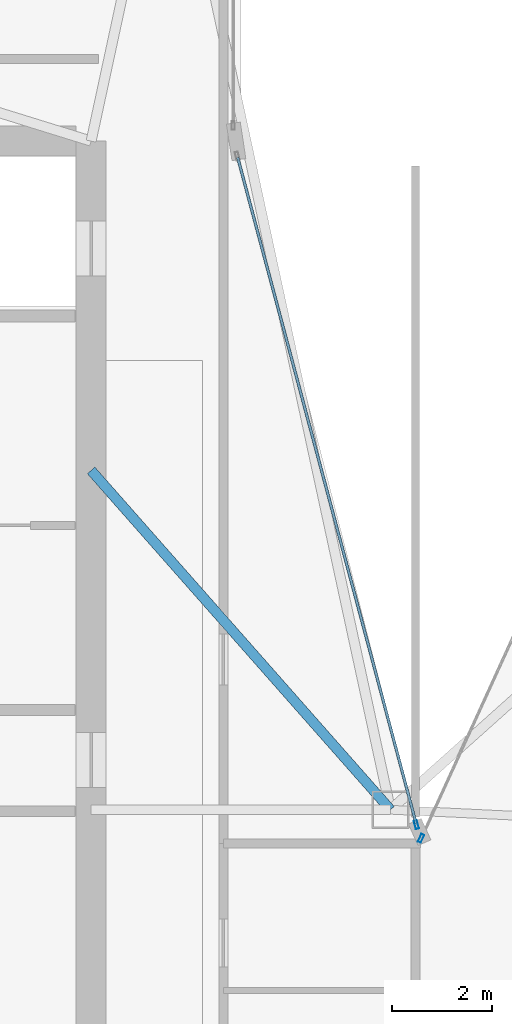
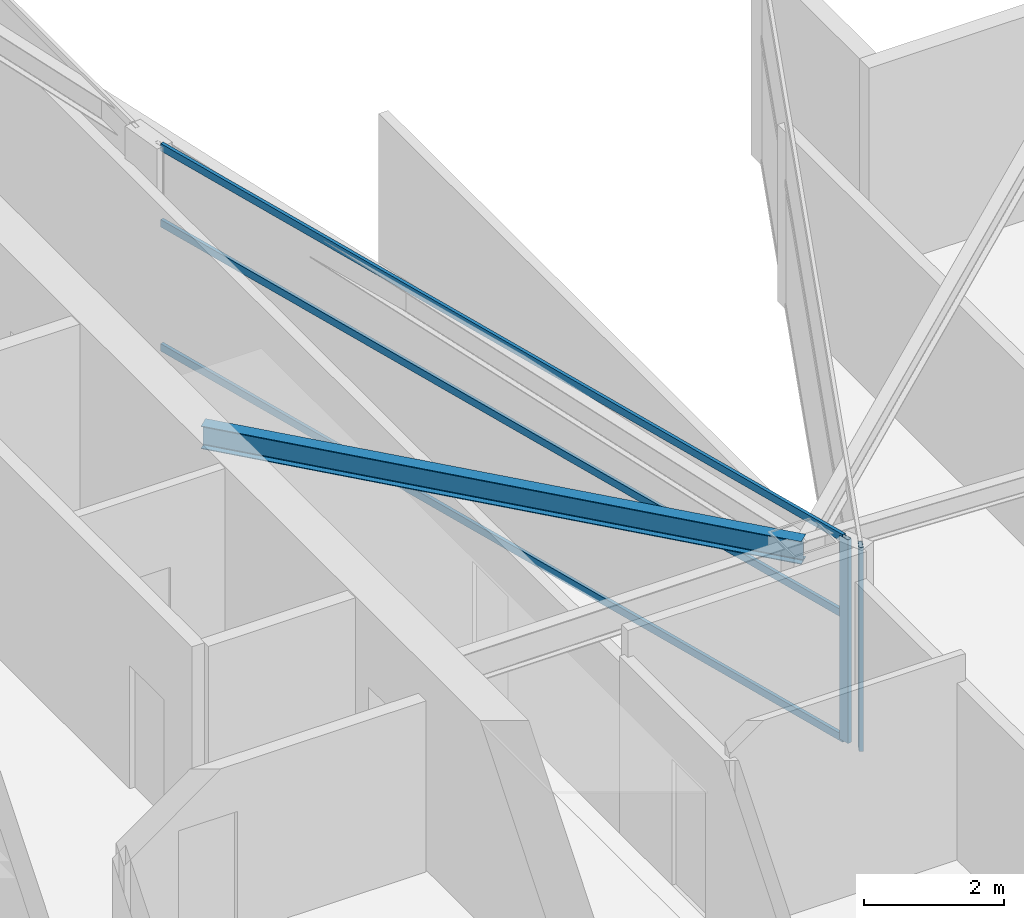
# One storey, part 12 of 27: 5 members, 1 beam, 2 elements without a shape of their own.
"""IFC4 building model written with IfcOpenShell, lengths in metres."""

from ifc_helpers import new_model, si_unit, direction, frame, origin, origin_2d, place, context, subcontext, project, spatial, hollow_rectangle, i_section, extrude, material, layer, layer_set, material_profile, profile_set, type_object, element, aggregate, save


model = new_model("IFC4")

# Units and contexts
model_context = context("Model", 3, precision=1e-05, world=origin(), true_north=direction((0.0, 1.0)))
body_context = subcontext(model_context, "Body", "Model", "MODEL_VIEW")
ifc_project = project(units=[si_unit("LENGTHUNIT", "METRE"), si_unit("AREAUNIT", "SQUARE_METRE"), si_unit("VOLUMEUNIT", "CUBIC_METRE"), si_unit("PLANEANGLEUNIT", "RADIAN"), si_unit("MASSUNIT", "GRAM", prefix="KILO")], contexts=[model_context])

# Site, building, storey
site_placement = place(None, origin())
site = spatial("IfcSite", under=ifc_project, at=site_placement, CompositionType="ELEMENT")
building_placement = place(site_placement, origin())
building = spatial("IfcBuilding", under=site, at=building_placement, Name="Calvorn Quay Hotel", CompositionType="ELEMENT")
storey_placement = place(building_placement, frame((0.0, 0.0, 291.10009765625)))
storey = spatial("IfcBuildingStorey", under=building, at=storey_placement, Name="L72", CompositionType="ELEMENT", Elevation=291.10009765625)

# Beam
ifc_material_1 = material(Name="Steel Q355B", Category="steel")
ifc_material_profile_1 = material_profile(ifc_material_1, i_section(OverallWidth=0.199951171875, OverallDepth=0.39990234375, WebThickness=0.008056640625, FlangeThickness=0.012939453125, FilletRadius=0.01611328125, at=origin_2d()), Name="HN400x200x8x13")
ifc_profile_set_1 = profile_set([ifc_material_profile_1], Name="Steel Q355B")
beam_type = type_object("IfcBeamType", Name="BM-JOIST-TYP", PredefinedType="JOIST", material=ifc_profile_set_1)
beam_placement = place(storey_placement, frame((15.0, 31.800048828125, 3.33984375), z_axis=(0.661618965899, -0.749840212287, 0.0), x_axis=(0.749840212287, 0.661618965899, 0.0)))
element("IfcBeam", 1, at=beam_placement, inside=storey, type_object=beam_type, Name="Beam BJ-L72-C1", PredefinedType="JOIST", context=body_context, shape_type="SweptSolid", body=[
    extrude(i_section(OverallWidth=0.199951171875, OverallDepth=0.39990234375, WebThickness=0.008056640625, FlangeThickness=0.012939453125, FilletRadius=0.01611328125, at=origin_2d()), origin(), (0.0, 0.0, 1.0), 9.068603515625),
])

# Curtain wall, member
ifc_material_2 = material(Name="Champagne Bronze Anodised Aluminium and Low-E Glass", Category="aluminium")
ifc_layer = layer(ifc_material_2, 0.219970703125)
ifc_layer_set = layer_set([ifc_layer], Name="CW-SYS-Z4")
curtain_wall_type = type_object("IfcCurtainWallType", Name="CW-SYS-Z4", PredefinedType="NOTDEFINED", material=ifc_layer_set)
curtain_wall_1_placement = place(storey_placement, origin())
curtain_wall_1 = element("IfcCurtainWall", 2, at=curtain_wall_1_placement, inside=storey, type_object=curtain_wall_type, Name="Inner Court Curtain Wall L72-NE1", PredefinedType="NOTDEFINED")
ifc_material_3 = material(Name="Champagne Bronze Anodised Aluminium 6063-T6", Category="aluminium")
ifc_material_profile_2 = material_profile(ifc_material_3, hollow_rectangle(XDim=0.06494140625, YDim=0.169921875, WallThickness=0.00341796875, at=origin_2d()), Name="ALU-M170x65x3.5")
ifc_profile_set_2 = profile_set([ifc_material_profile_2], Name="Champagne Bronze Anodised Aluminium 6063-T6")
member_type_1 = type_object("IfcMemberType", Name="CW-SYS-Z4-MUL", PredefinedType="MULLION", material=ifc_profile_set_2)
member_1_placement = place(storey_placement, frame((21.612548828125, 24.42724609375, 0.0), z_axis=(0.0, 0.0, 1.0), x_axis=(0.909907665981, -0.414810847724, 0.0)))
member_1 = element("IfcMember", 3, at=member_1_placement, type_object=member_type_1, Name="CW-L72-NE1 mullion 2", PredefinedType="MULLION", context=body_context, shape_type="SweptSolid", body=[
    extrude(hollow_rectangle(XDim=0.06494140625, YDim=0.169921875, WallThickness=0.00341796875, at=origin_2d()), origin(), (0.0, 0.0, 1.0), 3.559814453125),
])
aggregate(curtain_wall_1, [member_1])

# Curtain wall, members
curtain_wall_2_placement = place(storey_placement, origin())
curtain_wall_2 = element("IfcCurtainWall", 4, at=curtain_wall_2_placement, inside=storey, type_object=curtain_wall_type, Name="Inner Court Curtain Wall L72-IC1", PredefinedType="NOTDEFINED")
member_2_placement = place(storey_placement, frame((21.520263671875, 24.698974609375, 0.0), z_axis=(0.0, 0.0, 1.0), x_axis=(-0.96593652056, -0.25877913024, 0.0)))
member_2 = element("IfcMember", 5, at=member_2_placement, type_object=member_type_1, Name="CW-L72-IC1 mullion 1", PredefinedType="MULLION", context=body_context, shape_type="SweptSolid", body=[
    extrude(hollow_rectangle(XDim=0.06494140625, YDim=0.169921875, WallThickness=0.00341796875, at=origin_2d()), origin(), (0.0, 0.0, 1.0), 3.559814453125),
])
ifc_material_4 = material(Name="Champagne Bronze Anodised Aluminium 6063-T6", Category="aluminium")
ifc_material_profile_3 = material_profile(ifc_material_4, hollow_rectangle(XDim=0.054931640625, YDim=0.1298828125, WallThickness=0.003173828125, at=origin_2d()), Name="ALU-T130x55x3.2")
ifc_profile_set_3 = profile_set([ifc_material_profile_3], Name="Champagne Bronze Anodised Aluminium 6063-T6")
member_type_2 = type_object("IfcMemberType", Name="CW-SYS-Z4-TRN", PredefinedType="USERDEFINED", material=ifc_profile_set_3)
member_3_placement = place(storey_placement, frame((21.512451171875, 24.72802734375, 0.02978515625), z_axis=(-0.258781136883, 0.965935982969, 0.0), x_axis=(-0.965935982969, -0.258781136883, 0.0)))
member_3 = element("IfcMember", 6, at=member_3_placement, type_object=member_type_2, Name="CW-L72-IC1 transom 1.1", ObjectType="TRANSOM", PredefinedType="USERDEFINED", context=body_context, shape_type="SweptSolid", body=[
    extrude(hollow_rectangle(XDim=0.054931640625, YDim=0.1298828125, WallThickness=0.003173828125, at=origin_2d()), origin(), (0.0, 0.0, 1.0), 13.814453125),
])
member_4_placement = place(storey_placement, frame((21.512451171875, 24.72802734375, 2.199951171875), z_axis=(-0.258781136883, 0.965935982969, 0.0), x_axis=(-0.965935982969, -0.258781136883, 0.0)))
member_4 = element("IfcMember", 7, at=member_4_placement, type_object=member_type_2, Name="CW-L72-IC1 transom 1.2", ObjectType="TRANSOM", PredefinedType="USERDEFINED", context=body_context, shape_type="SweptSolid", body=[
    extrude(hollow_rectangle(XDim=0.054931640625, YDim=0.1298828125, WallThickness=0.003173828125, at=origin_2d()), origin(), (0.0, 0.0, 1.0), 13.814453125),
])
member_5_placement = place(storey_placement, frame((21.512451171875, 24.72802734375, 3.52978515625), z_axis=(-0.258781136883, 0.965935982969, 0.0), x_axis=(-0.965935982969, -0.258781136883, 0.0)))
member_5 = element("IfcMember", 8, at=member_5_placement, type_object=member_type_2, Name="CW-L72-IC1 transom 1.3", ObjectType="TRANSOM", PredefinedType="USERDEFINED", context=body_context, shape_type="SweptSolid", body=[
    extrude(hollow_rectangle(XDim=0.054931640625, YDim=0.1298828125, WallThickness=0.003173828125, at=origin_2d()), origin(), (0.0, 0.0, 1.0), 13.814453125),
])
aggregate(curtain_wall_2, [member_2, member_3, member_4, member_5])

save(model, "model.ifc")
